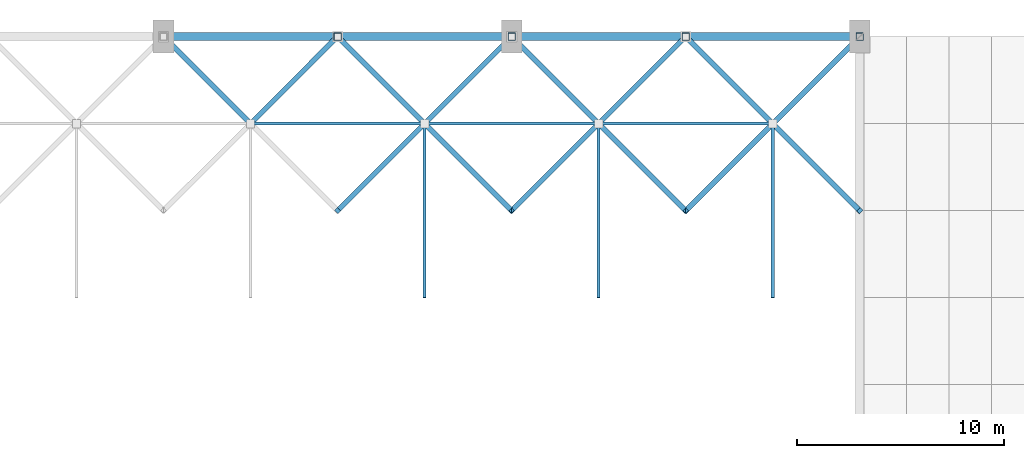
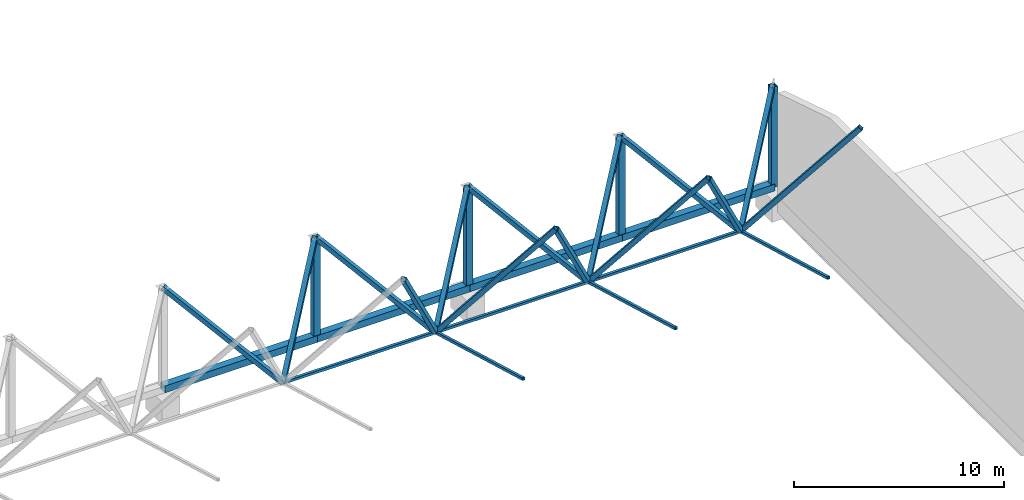
# One storey, part 60 of 163: 28 members.
"""IFC4 building model written with IfcOpenShell, lengths in metres."""

from ifc_helpers import new_model, si_unit, direction, frame, origin, origin_2d, place, context, subcontext, project, spatial, hollow_rectangle, extrude, material, material_profile, profile_set, type_object, element, save


model = new_model("IFC4")

# Units and contexts
model_context = context("Model", 3, precision=1e-05, world=origin(), true_north=direction((0.0, 1.0)))
body_context = subcontext(model_context, "Body", "Model", "MODEL_VIEW")
ifc_project = project(units=[si_unit("LENGTHUNIT", "METRE"), si_unit("AREAUNIT", "SQUARE_METRE"), si_unit("VOLUMEUNIT", "CUBIC_METRE"), si_unit("PLANEANGLEUNIT", "RADIAN"), si_unit("MASSUNIT", "GRAM", prefix="KILO")], contexts=[model_context])

# Site, building, storey
site_placement = place(None, origin())
site = spatial("IfcSite", under=ifc_project, at=site_placement, CompositionType="ELEMENT")
building_placement = place(site_placement, origin())
building = spatial("IfcBuilding", under=site, at=building_placement, Name="Rain Tree Exposition and Congress Centre", CompositionType="ELEMENT")
storey_placement = place(building_placement, frame((0.0, 0.0, 10.5)))
storey = spatial("IfcBuildingStorey", under=building, at=storey_placement, Name="L02", CompositionType="ELEMENT", Elevation=10.5)

# Members
ifc_material_1 = material(Name="Steel S355J2H", Category="steel")
ifc_material_profile_1 = material_profile(ifc_material_1, hollow_rectangle(XDim=0.25, YDim=0.25, WallThickness=0.006103515625, at=origin_2d()), Name="RHS 250x250x6")
ifc_profile_set_1 = profile_set([ifc_material_profile_1], Name="Steel S355J2H")
member_type_1 = type_object("IfcMemberType", Name="Steel brace member RHS 250x250x6", PredefinedType="BRACE", material=ifc_profile_set_1)
member_1_placement = place(storey_placement, frame((96.60009765625, 197.39990234375, 2.87353515625), z_axis=(-0.564699033018, 0.564699033018, 0.60185546788), x_axis=(-0.707106781187, -0.707106781187, 0.0)))
element("IfcMember", 1, at=member_1_placement, inside=storey, type_object=member_type_1, Name="Diagonal 1328", PredefinedType="BRACE", context=body_context, shape_type="SweptSolid", body=[
    extrude(hollow_rectangle(XDim=0.25, YDim=0.25, WallThickness=0.006103515625, at=origin_2d()), origin(), (0.0, 0.0, 1.0), 7.43798828125),
])
member_2_placement = place(storey_placement, frame((96.60009765625, 197.39990234375, 2.87353515625), z_axis=(0.564676675678, 0.564709499992, 0.601866623567), x_axis=(-0.707127332136, 0.70708622964, 0.0)))
element("IfcMember", 2, at=member_2_placement, inside=storey, type_object=member_type_1, Name="Diagonal 1329", PredefinedType="BRACE", context=body_context, shape_type="SweptSolid", body=[
    extrude(hollow_rectangle(XDim=0.25, YDim=0.25, WallThickness=0.006103515625, at=origin_2d()), origin(), (0.0, 0.0, 1.0), 7.437744140625),
])
for number, where, z_axis, x_axis, name in (
    (3, (105.0, 197.39990234375, 2.87353515625), (-0.453966434812, -0.453966434812, 0.766700040517), (0.707106781187, -0.707106781187, 0.0), "Diagonal 1331"),
    (4, (105.0, 197.39990234375, 2.87353515625), (0.453966434812, -0.453966434812, 0.766700040517), (0.707106781187, 0.707106781187, 0.0), "Diagonal 1332"),
):
    element("IfcMember", number, at=place(storey_placement, frame(where, z_axis=z_axis, x_axis=x_axis)), inside=storey, type_object=member_type_1, Name=name, PredefinedType="BRACE", context=body_context, shape_type="SweptSolid", body=[
        extrude(hollow_rectangle(XDim=0.25, YDim=0.25, WallThickness=0.006103515625, at=origin_2d()), origin(), (0.0, 0.0, 1.0), 9.251708984375),
    ])
for number, where, z_axis, x_axis, name in (
    (5, (105.0, 197.39990234375, 2.87353515625), (-0.564676675678, 0.564709499992, 0.601866623567), (-0.707127332136, -0.70708622964, 0.0), "Diagonal 1333"),
    (6, (105.0, 197.39990234375, 2.87353515625), (0.564676675678, 0.564709499992, 0.601866623567), (-0.707127332136, 0.70708622964, 0.0), "Diagonal 1334"),
):
    element("IfcMember", number, at=place(storey_placement, frame(where, z_axis=z_axis, x_axis=x_axis)), inside=storey, type_object=member_type_1, Name=name, PredefinedType="BRACE", context=body_context, shape_type="SweptSolid", body=[
        extrude(hollow_rectangle(XDim=0.25, YDim=0.25, WallThickness=0.006103515625, at=origin_2d()), origin(), (0.0, 0.0, 1.0), 7.437744140625),
    ])
for number, where, z_axis, x_axis, name in (
    (7, (113.39990234375, 197.39990234375, 2.87353515625), (-0.453966434812, -0.453966434812, 0.766700040517), (0.707106781187, -0.707106781187, 0.0), "Diagonal 1336"),
    (8, (113.39990234375, 197.39990234375, 2.87353515625), (0.453987384881, -0.453960996403, 0.766690855635), (0.70708622964, 0.707127332136, 0.0), "Diagonal 1337"),
):
    element("IfcMember", number, at=place(storey_placement, frame(where, z_axis=z_axis, x_axis=x_axis)), inside=storey, type_object=member_type_1, Name=name, PredefinedType="BRACE", context=body_context, shape_type="SweptSolid", body=[
        extrude(hollow_rectangle(XDim=0.25, YDim=0.25, WallThickness=0.006103515625, at=origin_2d()), origin(), (0.0, 0.0, 1.0), 9.251708984375),
    ])
member_3_placement = place(storey_placement, frame((113.39990234375, 197.39990234375, 2.87353515625), z_axis=(-0.564676675678, 0.564709499992, 0.601866623567), x_axis=(-0.707127332136, -0.70708622964, 0.0)))
element("IfcMember", 9, at=member_3_placement, inside=storey, type_object=member_type_1, Name="Diagonal 1338", PredefinedType="BRACE", context=body_context, shape_type="SweptSolid", body=[
    extrude(hollow_rectangle(XDim=0.25, YDim=0.25, WallThickness=0.006103515625, at=origin_2d()), origin(), (0.0, 0.0, 1.0), 7.437744140625),
])
member_4_placement = place(storey_placement, frame((113.39990234375, 197.39990234375, 2.87353515625), z_axis=(0.564699033018, 0.564699033018, 0.60185546788), x_axis=(-0.707106781187, 0.707106781187, 0.0)))
element("IfcMember", 10, at=member_4_placement, inside=storey, type_object=member_type_1, Name="Diagonal 1339", PredefinedType="BRACE", context=body_context, shape_type="SweptSolid", body=[
    extrude(hollow_rectangle(XDim=0.25, YDim=0.25, WallThickness=0.006103515625, at=origin_2d()), origin(), (0.0, 0.0, 1.0), 7.43798828125),
])
for number, where, z_axis, x_axis, name in (
    (11, (121.800048828125, 197.39990234375, 2.87353515625), (-0.453966434812, -0.453966434812, 0.766700040517), (0.707106781187, -0.707106781187, 0.0), "Diagonal 1341"),
    (12, (121.800048828125, 197.39990234375, 2.87353515625), (0.453966434812, -0.453966434812, 0.766700040517), (0.707106781187, 0.707106781187, 0.0), "Diagonal 1342"),
):
    element("IfcMember", number, at=place(storey_placement, frame(where, z_axis=z_axis, x_axis=x_axis)), inside=storey, type_object=member_type_1, Name=name, PredefinedType="BRACE", context=body_context, shape_type="SweptSolid", body=[
        extrude(hollow_rectangle(XDim=0.25, YDim=0.25, WallThickness=0.006103515625, at=origin_2d()), origin(), (0.0, 0.0, 1.0), 9.251708984375),
    ])
for number, where, z_axis, x_axis, name in (
    (13, (121.800048828125, 197.39990234375, 2.87353515625), (-0.564676675678, 0.564709499992, 0.601866623567), (-0.707127332136, -0.70708622964, 0.0), "Diagonal 1343"),
    (14, (121.800048828125, 197.39990234375, 2.87353515625), (0.564676675678, 0.564709499992, 0.601866623567), (-0.707127332136, 0.70708622964, 0.0), "Diagonal 1344"),
):
    element("IfcMember", number, at=place(storey_placement, frame(where, z_axis=z_axis, x_axis=x_axis)), inside=storey, type_object=member_type_1, Name=name, PredefinedType="BRACE", context=body_context, shape_type="SweptSolid", body=[
        extrude(hollow_rectangle(XDim=0.25, YDim=0.25, WallThickness=0.006103515625, at=origin_2d()), origin(), (0.0, 0.0, 1.0), 7.437744140625),
    ])
ifc_material_2 = material(Name="Steel S355J2H", Category="steel")
ifc_material_profile_2 = material_profile(ifc_material_2, hollow_rectangle(XDim=0.14990234375, YDim=0.14990234375, WallThickness=0.00439453125, at=origin_2d()), Name="RHS 150x150x4.5")
ifc_profile_set_2 = profile_set([ifc_material_profile_2], Name="Steel S355J2H")
member_type_2 = type_object("IfcMemberType", Name="Steel chord member RHS 150x150x4.5", PredefinedType="CHORD", material=ifc_profile_set_2)
for number, where, z_axis, x_axis, name in (
    (15, (105.0, 189.0, 5.232666015625), (0.0, 0.9627506985, -0.27039062953), (-1.0, 0.0, 0.0), "Bottom chord 1264"),
    (16, (113.39990234375, 189.0, 5.232666015625), (0.0, 0.9627506985, -0.27039062953), (-1.0, 0.0, 0.0), "Bottom chord 1270"),
    (17, (121.800048828125, 189.0, 5.232666015625), (0.0, 0.9627506985, -0.27039062953), (-1.0, 0.0, 0.0), "Bottom chord 1275"),
):
    element("IfcMember", number, at=place(storey_placement, frame(where, z_axis=z_axis, x_axis=x_axis)), inside=storey, type_object=member_type_2, Name=name, PredefinedType="CHORD", context=body_context, shape_type="SweptSolid", body=[
        extrude(hollow_rectangle(XDim=0.14990234375, YDim=0.14990234375, WallThickness=0.00439453125, at=origin_2d()), origin(), (0.0, 0.0, 1.0), 8.724853515625),
    ])
for number, where, z_axis, x_axis, name in (
    (18, (96.60009765625, 197.39990234375, 2.87353515625), (1.0, 0.0, 0.0), (0.0, 1.0, 0.0), "Bottom chord 1330"),
    (19, (105.0, 197.39990234375, 2.87353515625), (1.0, 0.0, 0.0), (0.0, 1.0, 0.0), "Bottom chord 1335"),
):
    element("IfcMember", number, at=place(storey_placement, frame(where, z_axis=z_axis, x_axis=x_axis)), inside=storey, type_object=member_type_2, Name=name, PredefinedType="CHORD", context=body_context, shape_type="SweptSolid", body=[
        extrude(hollow_rectangle(XDim=0.14990234375, YDim=0.14990234375, WallThickness=0.00439453125, at=origin_2d()), origin(), (0.0, 0.0, 1.0), 8.39990234375),
    ])
member_5_placement = place(storey_placement, frame((113.39990234375, 197.39990234375, 2.87353515625), z_axis=(1.0, 0.0, 0.0), x_axis=(0.0, 1.0, 0.0)))
element("IfcMember", 20, at=member_5_placement, inside=storey, type_object=member_type_2, Name="Bottom chord 1340", PredefinedType="CHORD", context=body_context, shape_type="SweptSolid", body=[
    extrude(hollow_rectangle(XDim=0.14990234375, YDim=0.14990234375, WallThickness=0.00439453125, at=origin_2d()), origin(), (0.0, 0.0, 1.0), 8.400146484375),
])
ifc_material_3 = material(Name="Steel S355J2H", Category="steel")
ifc_material_profile_3 = material_profile(ifc_material_3, hollow_rectangle(XDim=0.39990234375, YDim=0.39990234375, WallThickness=0.011962890625, at=origin_2d()), Name="RHS 400x400x12")
ifc_profile_set_3 = profile_set([ifc_material_profile_3], Name="Steel S355J2H")
member_type_3 = type_object("IfcMemberType", Name="Steel chord member RHS 400x400x12", PredefinedType="CHORD", material=ifc_profile_set_3)
member_6_placement = place(storey_placement, frame((92.39990234375, 201.60009765625, 1.5), z_axis=(1.0, 0.0, 0.0), x_axis=(0.0, 1.0, 0.0)))
element("IfcMember", 21, at=member_6_placement, inside=storey, type_object=member_type_3, Name="Eaves chord 1384", PredefinedType="CHORD", context=body_context, shape_type="SweptSolid", body=[
    extrude(hollow_rectangle(XDim=0.39990234375, YDim=0.39990234375, WallThickness=0.011962890625, at=origin_2d()), origin(), (0.0, 0.0, 1.0), 8.400146484375),
])
member_7_placement = place(storey_placement, frame((100.800048828125, 201.60009765625, 1.5), z_axis=(1.0, 0.0, 0.0), x_axis=(0.0, 1.0, 0.0)))
element("IfcMember", 22, at=member_7_placement, inside=storey, type_object=member_type_3, Name="Eaves chord 1385", PredefinedType="CHORD", context=body_context, shape_type="SweptSolid", body=[
    extrude(hollow_rectangle(XDim=0.39990234375, YDim=0.39990234375, WallThickness=0.011962890625, at=origin_2d()), origin(), (0.0, 0.0, 1.0), 8.39990234375),
])
member_8_placement = place(storey_placement, frame((109.199951171875, 201.60009765625, 1.5), z_axis=(1.0, 0.0, 0.0), x_axis=(0.0, 1.0, 0.0)))
element("IfcMember", 23, at=member_8_placement, inside=storey, type_object=member_type_3, Name="Eaves chord 1386", PredefinedType="CHORD", context=body_context, shape_type="SweptSolid", body=[
    extrude(hollow_rectangle(XDim=0.39990234375, YDim=0.39990234375, WallThickness=0.011962890625, at=origin_2d()), origin(), (0.0, 0.0, 1.0), 8.400146484375),
])
member_9_placement = place(storey_placement, frame((117.60009765625, 201.60009765625, 1.5), z_axis=(1.0, 0.0, 0.0), x_axis=(0.0, 1.0, 0.0)))
element("IfcMember", 24, at=member_9_placement, inside=storey, type_object=member_type_3, Name="Eaves chord 1387", PredefinedType="CHORD", context=body_context, shape_type="SweptSolid", body=[
    extrude(hollow_rectangle(XDim=0.39990234375, YDim=0.39990234375, WallThickness=0.011962890625, at=origin_2d()), origin(), (0.0, 0.0, 1.0), 8.39990234375),
])
ifc_material_4 = material(Name="Steel S355J2H", Category="steel")
ifc_material_profile_4 = material_profile(ifc_material_4, hollow_rectangle(XDim=0.35009765625, YDim=0.35009765625, WallThickness=0.009033203125, at=origin_2d()), Name="RHS 350x350x9")
ifc_profile_set_4 = profile_set([ifc_material_profile_4], Name="Steel S355J2H")
member_type_4 = type_object("IfcMemberType", Name="Steel post member RHS 350x350x9", PredefinedType="POST", material=ifc_profile_set_4)
for number, where, z_axis, x_axis, name in (
    (25, (100.800048828125, 201.60009765625, 1.5), (0.0, 0.0, 1.0), (1.0, 0.0, 0.0), "Eaves post 1399"),
    (26, (109.199951171875, 201.60009765625, 1.5), (0.0, 0.0, 1.0), (1.0, 0.0, 0.0), "Eaves post 1400"),
    (27, (117.60009765625, 201.60009765625, 1.5), (0.0, 0.0, 1.0), (1.0, 0.0, 0.0), "Eaves post 1401"),
    (28, (126.0, 201.60009765625, 1.5), (0.0, 0.0, 1.0), (1.0, 0.0, 0.0), "Eaves post 1402"),
):
    element("IfcMember", number, at=place(storey_placement, frame(where, z_axis=z_axis, x_axis=x_axis)), inside=storey, type_object=member_type_4, Name=name, PredefinedType="POST", context=body_context, shape_type="SweptSolid", body=[
        extrude(hollow_rectangle(XDim=0.35009765625, YDim=0.35009765625, WallThickness=0.009033203125, at=origin_2d()), origin(), (0.0, 0.0, 1.0), 5.85009765625),
    ])

save(model, "model.ifc")
